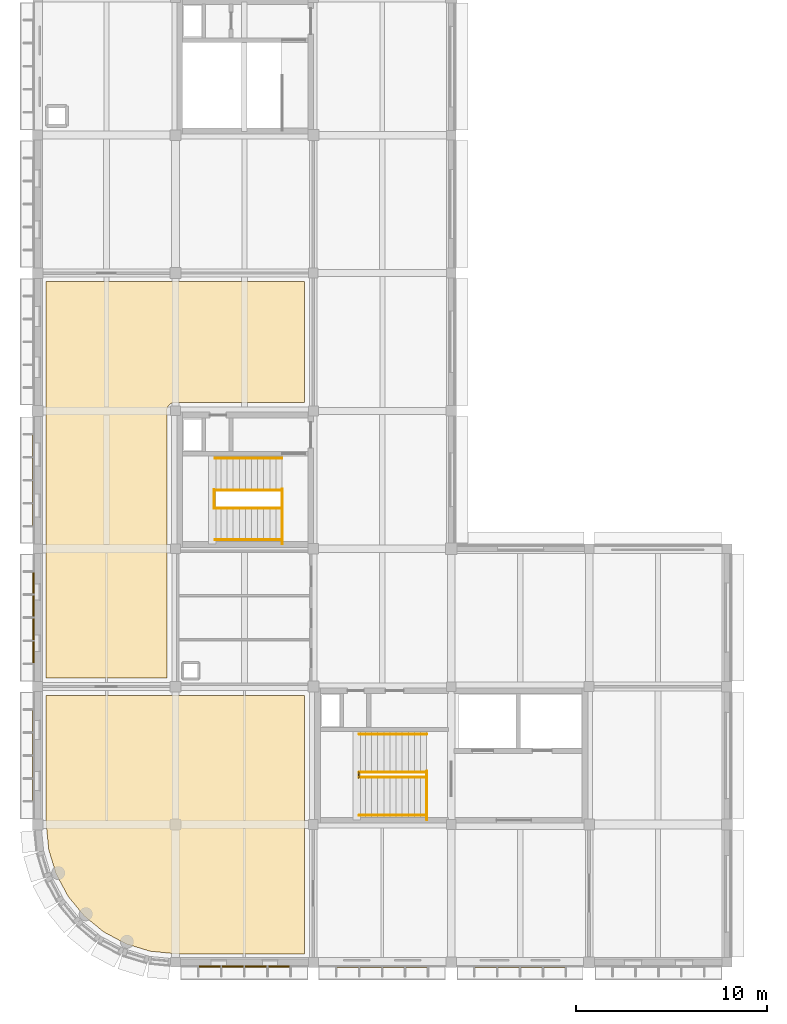
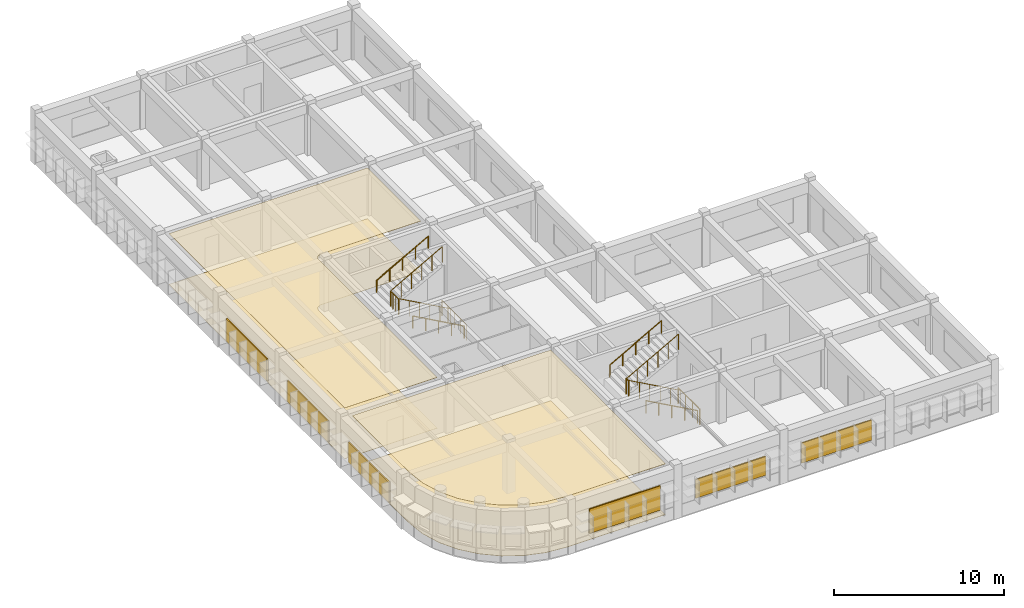
# One storey, part 18 of 19: 12 railings, 6 shading devices, 4 coverings.
"""IFC4 building model written with IfcOpenShell, lengths in metres."""

import ifcopenshell
import ifcopenshell.guid

model = None  # the IFC model being written
_history = None  # IfcOwnerHistory: only IFC2X3 demands one
_inside = {}  # id of a spatial element -> (the spatial element, [elements in it])
_under = {}  # id of a project, library or spatial element -> (it, [spatial elements below it])
_declared = {}  # id of a project -> (the project, [libraries it declares])
_typed = {}  # id of a type object -> (the type object, [elements of that type])
_made_of = {}  # id of a material, layer set ... -> (it, [elements and type objects made of it])


def new_model(schema):
    """Start an empty IFC model of exactly this schema.

    Asked for "IFC4X3", IfcOpenShell would pick the latest addendum, in which some entities
    have other attributes; the version numbers below select the first issue.
    IFC2X3 requires an IfcOwnerHistory on every rooted entity: one is made here for all.
    """
    global model, _history
    if schema == "IFC4X3":
        model = ifcopenshell.file(schema_version=(4, 3, 0, 0))
    else:
        model = ifcopenshell.file(schema=schema)
    _inside.clear()
    _under.clear()
    _declared.clear()
    _typed.clear()
    _made_of.clear()
    _history = None
    if model.schema == "IFC2X3":
        org = make("IfcOrganization", Name="unknown")
        user = make(
            "IfcPersonAndOrganization",
            ThePerson=make("IfcPerson", FamilyName="unknown"),
            TheOrganization=org,
        )
        app = make(
            "IfcApplication",
            ApplicationDeveloper=org,
            Version="unknown",
            ApplicationFullName="unknown",
            ApplicationIdentifier="unknown",
        )
        _history = make(
            "IfcOwnerHistory",
            OwningUser=user,
            OwningApplication=app,
            ChangeAction="ADDED",
            CreationDate=0,
        )
    return model


def make(cls, **values):
    """One entity of the class cls with the attributes given. An attribute that is None is left unset."""
    return model.create_entity(
        cls, **{name: value for name, value in values.items() if value is not None}
    )


def rooted(cls, **values):
    """An entity with a GlobalId (a new one), such as an element, a storey or a relation."""
    return make(cls, GlobalId=ifcopenshell.guid.new(), OwnerHistory=_history, **values)


def si_unit(unit_type, name, prefix=None):
    """IfcSIUnit, for example si_unit("LENGTHUNIT", "METRE", prefix="MILLI")."""
    return make("IfcSIUnit", UnitType=unit_type, Prefix=prefix, Name=name)


def assignment(units):
    """IfcUnitAssignment: the units of a project."""
    return None if units is None else make("IfcUnitAssignment", Units=units)


def point(xyz):
    """IfcCartesianPoint."""
    return None if xyz is None else make("IfcCartesianPoint", Coordinates=xyz)


def direction(xyz):
    """IfcDirection."""
    return None if xyz is None else make("IfcDirection", DirectionRatios=xyz)


def frame(location, z_axis=None, x_axis=None):
    """IfcAxis2Placement3D, a coordinate frame: its origin and axes. An axis left out is left unset."""
    return make(
        "IfcAxis2Placement3D",
        Location=point(location),
        Axis=direction(z_axis),
        RefDirection=direction(x_axis),
    )


def frame_2d(location, x_axis=None):
    """IfcAxis2Placement2D, a coordinate frame in the plane: its origin and x axis."""
    return make(
        "IfcAxis2Placement2D", Location=point(location), RefDirection=direction(x_axis)
    )


def origin():
    """The frame at (0, 0, 0) with its axes left unset."""
    return frame((0.0, 0.0, 0.0))


def origin_2d():
    """The frame at (0, 0) in the plane with its x axis left unset."""
    return frame_2d((0.0, 0.0))


def place(relative_to, where):
    """IfcLocalPlacement: puts the frame where relative to a parent placement (None: the world)."""
    return make(
        "IfcLocalPlacement", PlacementRelTo=relative_to, RelativePlacement=where
    )


def context(
    kind, dimensions, precision=None, world=None, true_north=None, identifier=None
):
    """IfcGeometricRepresentationContext, for example the 3D "Model" context."""
    return make(
        "IfcGeometricRepresentationContext",
        ContextIdentifier=identifier,
        ContextType=kind,
        CoordinateSpaceDimension=dimensions,
        Precision=precision,
        WorldCoordinateSystem=world,
        TrueNorth=true_north,
    )


def subcontext(parent, identifier, kind, view, scale=None):
    """IfcGeometricRepresentationSubContext, for example "Body" below "Model"."""
    return make(
        "IfcGeometricRepresentationSubContext",
        ContextIdentifier=identifier,
        ContextType=kind,
        ParentContext=parent,
        TargetScale=scale,
        TargetView=view,
    )


def project(units=None, contexts=None):
    """IfcProject with its units and contexts."""
    return rooted(
        "IfcProject",
        Name="project",
        RepresentationContexts=contexts,
        UnitsInContext=assignment(units),
    )


def spatial(cls, under=None, at=None, **own):
    """A site, building, storey or space (cls), placed at a placement, below another one or the project."""
    s = rooted(cls, ObjectPlacement=at, **own)
    if under is not None:
        _under.setdefault(under.id(), (under, []))[1].append(s)
    return s


def polyline(points):
    """IfcPolyline through the points."""
    return make("IfcPolyline", Points=[point(p) for p in points])


def profile(cls, at=None, kind="AREA", **sizes):
    """A parametric profile (cls). Its sizes go by their IFC names, for example OverallWidth=200.0."""
    return make(cls, ProfileType=kind, Position=at, **sizes)


def rectangle(**sizes):
    """IfcRectangleProfileDef."""
    return profile("IfcRectangleProfileDef", **sizes)


def circle(**sizes):
    """IfcCircleProfileDef."""
    return profile("IfcCircleProfileDef", **sizes)


def outline(outer, holes=None, kind="AREA"):
    """IfcArbitraryClosedProfileDef: a profile drawn as a closed curve; with holes, ...WithVoids."""
    if holes is None:
        return make("IfcArbitraryClosedProfileDef", ProfileType=kind, OuterCurve=outer)
    return make(
        "IfcArbitraryProfileDefWithVoids",
        ProfileType=kind,
        OuterCurve=outer,
        InnerCurves=holes,
    )


def extrude(swept, where, along, depth):
    """IfcExtrudedAreaSolid: the profile swept, set in the frame where, extruded along a direction by depth."""
    return make(
        "IfcExtrudedAreaSolid",
        SweptArea=swept,
        Position=where,
        ExtrudedDirection=direction(along),
        Depth=depth,
    )


def shape(context_of_items, identifier, shape_type, items):
    """IfcShapeRepresentation: the items that make up one representation, for example the "Body"."""
    return make(
        "IfcShapeRepresentation",
        ContextOfItems=context_of_items,
        RepresentationIdentifier=identifier,
        RepresentationType=shape_type,
        Items=items,
    )


def material(Name=None, Category=None):
    """IfcMaterial."""
    return make("IfcMaterial", Name=Name, Category=Category)


def layer(
    of_material, thickness, ventilated=None, Name=None, Category=None, Priority=None
):
    """IfcMaterialLayer: one layer of a wall or slab, of a material (None: an air gap)."""
    return make(
        "IfcMaterialLayer",
        Material=of_material,
        LayerThickness=thickness,
        IsVentilated=ventilated,
        Name=Name,
        Category=Category,
        Priority=Priority,
    )


def layer_set(layers, Name=None):
    """IfcMaterialLayerSet."""
    return make("IfcMaterialLayerSet", MaterialLayers=layers, LayerSetName=Name)


def made_of(thing, what):
    """Note that an element or type object is made of a material, layer set ...; save() writes the relation."""
    if what is not None:
        _made_of.setdefault(what.id(), (what, []))[1].append(thing)
    return thing


def type_object(cls, material=None, **own):
    """A type object (cls), such as IfcWallType, which elements share."""
    return made_of(rooted(cls, **own), material)


def element(
    cls,
    number,
    at=None,
    inside=None,
    cuts=None,
    type_object=None,
    material=None,
    context=None,
    identifier="Body",
    shape_type=None,
    held_by="IfcProductDefinitionShape",
    body=None,
    shapes=None,
    **own,
):
    """One element of the class cls, such as IfcWall. Its Tag is "e" and its number.

    at: its placement. inside: the storey or other place that contains it. cuts: it is an
    opening in that element (IfcRelVoidsElement). A single representation is given by context,
    identifier, shape_type and body (its items); several are given by shapes. held_by: the class
    of the entity that holds the representations. save() writes the other relations.
    """
    e = rooted(cls, Tag="e%d" % number, ObjectPlacement=at, **own)
    if body is not None:
        shapes = [shape(context, identifier, shape_type, body)]
    if shapes is not None:
        e.Representation = make(held_by, Representations=shapes)
    if inside is not None:
        _inside.setdefault(inside.id(), (inside, []))[1].append(e)
    if cuts is not None:
        rooted(
            "IfcRelVoidsElement", RelatingBuildingElement=cuts, RelatedOpeningElement=e
        )
    if type_object is not None:
        _typed.setdefault(type_object.id(), (type_object, []))[1].append(e)
    return made_of(e, material)


def aggregate(whole, parts):
    """IfcRelAggregates: a whole, such as a stair, and the parts it consists of."""
    return rooted("IfcRelAggregates", RelatingObject=whole, RelatedObjects=parts)


def save(model, path):
    """Write the relations noted so far, then the file.

    IfcRelAggregates (storeys below a building ...), IfcRelContainedInSpatialStructure (elements
    in a storey), IfcRelDefinesByType, IfcRelAssociatesMaterial and IfcRelDeclares: one each for
    every whole, place, type object, material and project.
    """
    for whole, parts in _under.values():
        aggregate(whole, parts)
    for where, things in _inside.values():
        rooted(
            "IfcRelContainedInSpatialStructure",
            RelatedElements=things,
            RelatingStructure=where,
        )
    for kind, things in _typed.values():
        rooted("IfcRelDefinesByType", RelatedObjects=things, RelatingType=kind)
    for what, things in _made_of.values():
        rooted("IfcRelAssociatesMaterial", RelatedObjects=things, RelatingMaterial=what)
    for by, libraries in _declared.values():
        rooted("IfcRelDeclares", RelatingContext=by, RelatedDefinitions=libraries)
    model.write(path)


model = new_model("IFC4")

# Units and contexts
model_context = context("Model", 3, precision=1e-05, world=origin(), true_north=direction((0.0, 1.0)))
body_context = subcontext(model_context, "Body", "Model", "MODEL_VIEW")
ifc_project = project(units=[si_unit("LENGTHUNIT", "METRE"), si_unit("AREAUNIT", "SQUARE_METRE"), si_unit("VOLUMEUNIT", "CUBIC_METRE"), si_unit("PLANEANGLEUNIT", "RADIAN"), si_unit("MASSUNIT", "GRAM", prefix="KILO")], contexts=[model_context])

# Site, building, storey
site_placement = place(None, origin())
site = spatial("IfcSite", under=ifc_project, at=site_placement, CompositionType="ELEMENT")
building_placement = place(site_placement, origin())
building = spatial("IfcBuilding", under=site, at=building_placement, Name="Thalmaran Polytechnic", CompositionType="ELEMENT")
storey_placement = place(building_placement, frame((0.0, 0.0, 26.699951171875)))
storey = spatial("IfcBuildingStorey", under=building, at=storey_placement, Name="L06", CompositionType="ELEMENT", Elevation=26.699951171875)

# Coverings
ifc_material_1 = material(Name="Acoustic mineral fibre ceiling")
ifc_layer_1 = layer(ifc_material_1, 0.02490234375, Name="Acoustic mineral fibre ceiling")
ifc_layer_set_1 = layer_set([ifc_layer_1], Name="Acoustic mineral fibre ceiling")
covering_type_1 = type_object("IfcCoveringType", Name="CV-CL01", PredefinedType="CEILING", material=ifc_layer_set_1)
covering_1_placement = place(storey_placement, frame((0.0, 0.0, 3.64501953125)))
element("IfcCovering", 1, at=covering_1_placement, inside=storey, type_object=covering_type_1, Name="Environmental Engineering Laboratory L06-01 Acoustic Ceiling", PredefinedType="CEILING", context=body_context, shape_type="SweptSolid", body=[
    extrude(outline(polyline([(4.61767578125, 0.9658203125), (3.451171875, 1.58935546875), (2.428466796875, 2.428466796875), (1.58935546875, 3.451171875), (0.9658203125, 4.61767578125), (0.581787109375, 5.883544921875), (0.449951171875, 7.22216796875), (0.449951171875, 13.949951171875), (13.949951171875, 13.949951171875), (13.949951171875, 0.449951171875), (7.22216796875, 0.449951171875), (5.883544921875, 0.581787109375), (4.61767578125, 0.9658203125)])), origin(), (0.0, 0.0, 1.0), 0.025146484375),
])
covering_2_placement = place(storey_placement, frame((0.0, 0.0, 3.64501953125)))
element("IfcCovering", 2, at=covering_2_placement, inside=storey, type_object=covering_type_1, Name="Academic Department Suite L06-02 Acoustic Ceiling", PredefinedType="CEILING", context=body_context, shape_type="SweptSolid", body=[
    extrude(outline(polyline([(0.449951171875, 14.85009765625), (0.449951171875, 35.550048828125), (13.949951171875, 35.550048828125), (13.949951171875, 29.25), (7.199951171875, 29.25), (7.156005859375, 29.247802734375), (7.1123046875, 29.241455078125), (7.0693359375, 29.230712890625), (7.02783203125, 29.2158203125), (6.98779296875, 29.19677734375), (6.949951171875, 29.174072265625), (6.91455078125, 29.14794921875), (6.8818359375, 29.1181640625), (6.85205078125, 29.08544921875), (6.825927734375, 29.050048828125), (6.80322265625, 29.01220703125), (6.7841796875, 28.97216796875), (6.769287109375, 28.9306640625), (6.758544921875, 28.8876953125), (6.752197265625, 28.843994140625), (6.75, 28.800048828125), (6.75, 14.85009765625), (0.449951171875, 14.85009765625)])), origin(), (0.0, 0.0, 1.0), 0.025146484375),
])
ifc_material_2 = material(Name="Polished terrazzo and epoxy lab flooring")
ifc_layer_2 = layer(ifc_material_2, 0.02001953125, Name="Polished terrazzo and epoxy lab flooring")
ifc_layer_set_2 = layer_set([ifc_layer_2], Name="Polished terrazzo and epoxy lab flooring")
covering_type_2 = type_object("IfcCoveringType", Name="CV-FL01", PredefinedType="FLOORING", material=ifc_layer_set_2)
covering_3_placement = place(storey_placement, origin())
element("IfcCovering", 3, at=covering_3_placement, inside=storey, type_object=covering_type_2, Name="Environmental Engineering Laboratory L06-01 Specialist Finish Flooring", PredefinedType="FLOORING", context=body_context, shape_type="SweptSolid", body=[
    extrude(outline(polyline([(4.61767578125, 0.9658203125), (3.451171875, 1.58935546875), (2.428466796875, 2.428466796875), (1.58935546875, 3.451171875), (0.9658203125, 4.61767578125), (0.581787109375, 5.883544921875), (0.449951171875, 7.22216796875), (0.449951171875, 13.949951171875), (13.949951171875, 13.949951171875), (13.949951171875, 0.449951171875), (7.22216796875, 0.449951171875), (5.883544921875, 0.581787109375), (4.61767578125, 0.9658203125)])), origin(), (0.0, 0.0, 1.0), 0.02001953125),
])
covering_4_placement = place(storey_placement, origin())
element("IfcCovering", 4, at=covering_4_placement, inside=storey, type_object=covering_type_2, Name="Academic Department Suite L06-02 Specialist Finish Flooring", PredefinedType="FLOORING", context=body_context, shape_type="SweptSolid", body=[
    extrude(outline(polyline([(0.449951171875, 14.85009765625), (0.449951171875, 35.550048828125), (13.949951171875, 35.550048828125), (13.949951171875, 29.25), (7.199951171875, 29.25), (7.156005859375, 29.247802734375), (7.1123046875, 29.241455078125), (7.0693359375, 29.230712890625), (7.02783203125, 29.2158203125), (6.98779296875, 29.19677734375), (6.949951171875, 29.174072265625), (6.91455078125, 29.14794921875), (6.8818359375, 29.1181640625), (6.85205078125, 29.08544921875), (6.825927734375, 29.050048828125), (6.80322265625, 29.01220703125), (6.7841796875, 28.97216796875), (6.769287109375, 28.9306640625), (6.758544921875, 28.8876953125), (6.752197265625, 28.843994140625), (6.75, 28.800048828125), (6.75, 14.85009765625), (0.449951171875, 14.85009765625)])), origin(), (0.0, 0.0, 1.0), 0.02001953125),
])

# Railings
ifc_material_3 = material(Name="Stainless steel 316", Category="steel")
railing_type_1 = type_object("IfcRailingType", Name="RL-GR01", PredefinedType="GUARDRAIL", material=ifc_material_3)
railing_1_placement = place(storey_placement, frame((20.330078125, 7.449951171875, 0.0)))
element("IfcRailing", 5, at=railing_1_placement, inside=storey, type_object=railing_type_1, Name="ST1 L06 Landing Edge Guardrail", PredefinedType="GUARDRAIL", context=body_context, shape_type="SweptSolid", body=[
    extrude(circle(Radius=0.02392578125, at=origin_2d()), frame((0.0, 0.0, 1.1259765625), z_axis=(0.0, 1.0, 0.0), x_axis=(-1.0, 0.0, 0.0)), (0.0, 0.0, 1.0), 2.530029296875),
    extrude(circle(Radius=0.02099609375, at=origin_2d()), origin(), (0.0, 0.0, 1.0), 1.101806640625),
    extrude(circle(Radius=0.02099609375, at=origin_2d()), frame((0.0, 0.84326171875, 0.0)), (0.0, 0.0, 1.0), 1.101806640625),
    extrude(circle(Radius=0.02099609375, at=origin_2d()), frame((0.0, 1.686767578125, 0.0)), (0.0, 0.0, 1.0), 1.101806640625),
    extrude(circle(Radius=0.02099609375, at=origin_2d()), frame((0.0, 2.530029296875, 0.0)), (0.0, 0.0, 1.0), 1.101806640625),
])
railing_2_placement = place(storey_placement, frame((20.320068359375, 9.659912109375, 0.0)))
element("IfcRailing", 6, at=railing_2_placement, inside=storey, type_object=railing_type_1, Name="ST1 L06 Lower Flight Guardrail", PredefinedType="GUARDRAIL", context=body_context, shape_type="SweptSolid", body=[
    extrude(circle(Radius=0.02392578125, at=origin_2d()), frame((0.0, 0.0, 1.1259765625), z_axis=(-0.874749022873, 0.0, 0.484576255076), x_axis=(0.0, -1.0, 0.0)), (0.0, 0.0, 1.0), 4.02392578125),
    extrude(circle(Radius=0.02099609375, at=origin_2d()), origin(), (0.0, 0.0, 1.0), 1.101806640625),
    extrude(circle(Radius=0.02099609375, at=origin_2d()), frame((-0.7041015625, 0.0, 0.389892578125)), (0.0, 0.0, 1.0), 1.101806640625),
    extrude(circle(Radius=0.02099609375, at=origin_2d()), frame((-1.407958984375, 0.0, 0.780029296875)), (0.0, 0.0, 1.0), 1.101806640625),
    extrude(circle(Radius=0.02099609375, at=origin_2d()), frame((-2.112060546875, 0.0, 1.169921875)), (0.0, 0.0, 1.0), 1.101806640625),
    extrude(circle(Radius=0.02099609375, at=origin_2d()), frame((-2.81591796875, 0.0, 1.56005859375)), (0.0, 0.0, 1.0), 1.101806640625),
    extrude(circle(Radius=0.02099609375, at=origin_2d()), frame((-3.52001953125, 0.0, 1.949951171875)), (0.0, 0.0, 1.0), 1.101806640625),
])
railing_3_placement = place(storey_placement, frame((16.760009765625, 9.639892578125, 1.949951171875)))
element("IfcRailing", 7, at=railing_3_placement, inside=storey, type_object=railing_type_1, Name="ST1 L06 Half-Landing Well Guardrail", PredefinedType="GUARDRAIL", context=body_context, shape_type="SweptSolid", body=[
    extrude(circle(Radius=0.02392578125, at=origin_2d()), frame((0.0, 0.0, 1.1259765625), z_axis=(0.0, 1.0, 0.0), x_axis=(-1.0, 0.0, 0.0)), (0.0, 0.0, 1.0), 0.300048828125),
    extrude(circle(Radius=0.02099609375, at=origin_2d()), origin(), (0.0, 0.0, 1.0), 1.101806640625),
    extrude(circle(Radius=0.02099609375, at=origin_2d()), frame((0.0, 0.300048828125, 0.0)), (0.0, 0.0, 1.0), 1.101806640625),
])
railing_4_placement = place(storey_placement, frame((16.800048828125, 9.919921875, 1.949951171875)))
element("IfcRailing", 8, at=railing_4_placement, inside=storey, type_object=railing_type_1, Name="ST1 L06 Upper Flight Guardrail", PredefinedType="GUARDRAIL", context=body_context, shape_type="SweptSolid", body=[
    extrude(circle(Radius=0.02392578125, at=origin_2d()), frame((0.0, 0.0, 1.1259765625), z_axis=(0.874723305176, 0.0, 0.48462267733), x_axis=(0.0, 1.0, 0.0)), (0.0, 0.0, 1.0), 4.024169921875),
    extrude(circle(Radius=0.02099609375, at=origin_2d()), origin(), (0.0, 0.0, 1.0), 1.101806640625),
    extrude(circle(Radius=0.02099609375, at=origin_2d()), frame((0.7041015625, 0.0, 0.39013671875)), (0.0, 0.0, 1.0), 1.101806640625),
    extrude(circle(Radius=0.02099609375, at=origin_2d()), frame((1.407958984375, 0.0, 0.780029296875)), (0.0, 0.0, 1.0), 1.101806640625),
    extrude(circle(Radius=0.02099609375, at=origin_2d()), frame((2.112060546875, 0.0, 1.170166015625)), (0.0, 0.0, 1.0), 1.101806640625),
    extrude(circle(Radius=0.02099609375, at=origin_2d()), frame((2.81591796875, 0.0, 1.56005859375)), (0.0, 0.0, 1.0), 1.101806640625),
    extrude(circle(Radius=0.02099609375, at=origin_2d()), frame((3.52001953125, 0.0, 1.9501953125)), (0.0, 0.0, 1.0), 1.101806640625),
])
railing_5_placement = place(storey_placement, frame((12.77001953125, 21.85009765625, 0.0)))
element("IfcRailing", 9, at=railing_5_placement, inside=storey, type_object=railing_type_1, Name="ST3 L06 Landing Edge Guardrail", PredefinedType="GUARDRAIL", context=body_context, shape_type="SweptSolid", body=[
    extrude(circle(Radius=0.02392578125, at=origin_2d()), frame((0.0, 0.0, 1.1259765625), z_axis=(0.0, 1.0, 0.0), x_axis=(-1.0, 0.0, 0.0)), (0.0, 0.0, 1.0), 2.869873046875),
    extrude(circle(Radius=0.02099609375, at=origin_2d()), origin(), (0.0, 0.0, 1.0), 1.101806640625),
    extrude(circle(Radius=0.02099609375, at=origin_2d()), frame((0.0, 0.717529296875, 0.0)), (0.0, 0.0, 1.0), 1.101806640625),
    extrude(circle(Radius=0.02099609375, at=origin_2d()), frame((0.0, 1.43505859375, 0.0)), (0.0, 0.0, 1.0), 1.101806640625),
    extrude(circle(Radius=0.02099609375, at=origin_2d()), frame((0.0, 2.15234375, 0.0)), (0.0, 0.0, 1.0), 1.101806640625),
    extrude(circle(Radius=0.02099609375, at=origin_2d()), frame((0.0, 2.869873046875, 0.0)), (0.0, 0.0, 1.0), 1.101806640625),
])
railing_6_placement = place(storey_placement, frame((12.760009765625, 23.719970703125, 0.0)))
element("IfcRailing", 10, at=railing_6_placement, inside=storey, type_object=railing_type_1, Name="ST3 L06 Lower Flight Guardrail", PredefinedType="GUARDRAIL", context=body_context, shape_type="SweptSolid", body=[
    extrude(circle(Radius=0.02392578125, at=origin_2d()), frame((0.0, 0.0, 1.1259765625), z_axis=(-0.873573157803, 0.0, 0.486692857936), x_axis=(0.0, -1.0, 0.0)), (0.0, 0.0, 1.0), 4.006591796875),
    extrude(circle(Radius=0.02099609375, at=origin_2d()), origin(), (0.0, 0.0, 1.0), 1.101806640625),
    extrude(circle(Radius=0.02099609375, at=origin_2d()), frame((-0.699951171875, 0.0, 0.389892578125)), (0.0, 0.0, 1.0), 1.101806640625),
    extrude(circle(Radius=0.02099609375, at=origin_2d()), frame((-1.39990234375, 0.0, 0.780029296875)), (0.0, 0.0, 1.0), 1.101806640625),
    extrude(circle(Radius=0.02099609375, at=origin_2d()), frame((-2.10009765625, 0.0, 1.169921875)), (0.0, 0.0, 1.0), 1.101806640625),
    extrude(circle(Radius=0.02099609375, at=origin_2d()), frame((-2.800048828125, 0.0, 1.56005859375)), (0.0, 0.0, 1.0), 1.101806640625),
    extrude(circle(Radius=0.02099609375, at=origin_2d()), frame((-3.5, 0.0, 1.949951171875)), (0.0, 0.0, 1.0), 1.101806640625),
])
railing_7_placement = place(storey_placement, frame((9.219970703125, 23.699951171875, 1.949951171875)))
element("IfcRailing", 11, at=railing_7_placement, inside=storey, type_object=railing_type_1, Name="ST3 L06 Half-Landing Well Guardrail", PredefinedType="GUARDRAIL", context=body_context, shape_type="SweptSolid", body=[
    extrude(circle(Radius=0.02392578125, at=origin_2d()), frame((0.0, 0.0, 1.1259765625), z_axis=(0.0, 1.0, 0.0), x_axis=(-1.0, 0.0, 0.0)), (0.0, 0.0, 1.0), 0.97998046875),
    extrude(circle(Radius=0.02099609375, at=origin_2d()), origin(), (0.0, 0.0, 1.0), 1.101806640625),
    extrude(circle(Radius=0.02099609375, at=origin_2d()), frame((0.0, 0.32666015625, 0.0)), (0.0, 0.0, 1.0), 1.101806640625),
    extrude(circle(Radius=0.02099609375, at=origin_2d()), frame((0.0, 0.6533203125, 0.0)), (0.0, 0.0, 1.0), 1.101806640625),
    extrude(circle(Radius=0.02099609375, at=origin_2d()), frame((0.0, 0.97998046875, 0.0)), (0.0, 0.0, 1.0), 1.101806640625),
])
railing_8_placement = place(storey_placement, frame((9.260009765625, 24.659912109375, 1.949951171875)))
element("IfcRailing", 12, at=railing_8_placement, inside=storey, type_object=railing_type_1, Name="ST3 L06 Upper Flight Guardrail", PredefinedType="GUARDRAIL", context=body_context, shape_type="SweptSolid", body=[
    extrude(circle(Radius=0.02392578125, at=origin_2d()), frame((0.0, 0.0, 1.1259765625), z_axis=(0.873547249832, 0.0, 0.486739357677), x_axis=(0.0, 1.0, 0.0)), (0.0, 0.0, 1.0), 4.006591796875),
    extrude(circle(Radius=0.02099609375, at=origin_2d()), origin(), (0.0, 0.0, 1.0), 1.101806640625),
    extrude(circle(Radius=0.02099609375, at=origin_2d()), frame((0.699951171875, 0.0, 0.39013671875)), (0.0, 0.0, 1.0), 1.101806640625),
    extrude(circle(Radius=0.02099609375, at=origin_2d()), frame((1.39990234375, 0.0, 0.780029296875)), (0.0, 0.0, 1.0), 1.101806640625),
    extrude(circle(Radius=0.02099609375, at=origin_2d()), frame((2.10009765625, 0.0, 1.170166015625)), (0.0, 0.0, 1.0), 1.101806640625),
    extrude(circle(Radius=0.02099609375, at=origin_2d()), frame((2.800048828125, 0.0, 1.56005859375)), (0.0, 0.0, 1.0), 1.101806640625),
    extrude(circle(Radius=0.02099609375, at=origin_2d()), frame((3.5, 0.0, 1.9501953125)), (0.0, 0.0, 1.0), 1.101806640625),
])
railing_type_2 = type_object("IfcRailingType", Name="RL-HR01", PredefinedType="HANDRAIL", material=ifc_material_3)
railing_9_placement = place(storey_placement, frame((20.320068359375, 7.679931640625, 0.0)))
element("IfcRailing", 13, at=railing_9_placement, inside=storey, type_object=railing_type_2, Name="ST1 L06 Flight 1 Handrail", PredefinedType="HANDRAIL", context=body_context, shape_type="SweptSolid", body=[
    extrude(circle(Radius=0.02392578125, at=origin_2d()), frame((0.0, 0.0, 0.8759765625), z_axis=(-0.874749022873, 0.0, 0.484576255076), x_axis=(0.0, -1.0, 0.0)), (0.0, 0.0, 1.0), 4.02392578125),
    extrude(circle(Radius=0.02099609375, at=origin_2d()), origin(), (0.0, 0.0, 1.0), 0.851806640625),
    extrude(circle(Radius=0.02099609375, at=origin_2d()), frame((-0.8798828125, 0.0, 0.487548828125)), (0.0, 0.0, 1.0), 0.851806640625),
    extrude(circle(Radius=0.02099609375, at=origin_2d()), frame((-1.760009765625, 0.0, 0.97509765625)), (0.0, 0.0, 1.0), 0.851806640625),
    extrude(circle(Radius=0.02099609375, at=origin_2d()), frame((-2.64013671875, 0.0, 1.46240234375)), (0.0, 0.0, 1.0), 0.851806640625),
    extrude(circle(Radius=0.02099609375, at=origin_2d()), frame((-3.52001953125, 0.0, 1.949951171875)), (0.0, 0.0, 1.0), 0.851806640625),
])
railing_10_placement = place(storey_placement, frame((16.800048828125, 11.919921875, 1.949951171875)))
element("IfcRailing", 14, at=railing_10_placement, inside=storey, type_object=railing_type_2, Name="ST1 L06 Flight 2 Handrail", PredefinedType="HANDRAIL", context=body_context, shape_type="SweptSolid", body=[
    extrude(circle(Radius=0.02392578125, at=origin_2d()), frame((0.0, 0.0, 0.8759765625), z_axis=(0.874723305176, 0.0, 0.48462267733), x_axis=(0.0, 1.0, 0.0)), (0.0, 0.0, 1.0), 4.024169921875),
    extrude(circle(Radius=0.02099609375, at=origin_2d()), origin(), (0.0, 0.0, 1.0), 0.851806640625),
    extrude(circle(Radius=0.02099609375, at=origin_2d()), frame((0.8798828125, 0.0, 0.487548828125)), (0.0, 0.0, 1.0), 0.851806640625),
    extrude(circle(Radius=0.02099609375, at=origin_2d()), frame((1.760009765625, 0.0, 0.97509765625)), (0.0, 0.0, 1.0), 0.851806640625),
    extrude(circle(Radius=0.02099609375, at=origin_2d()), frame((2.64013671875, 0.0, 1.462646484375)), (0.0, 0.0, 1.0), 0.851806640625),
    extrude(circle(Radius=0.02099609375, at=origin_2d()), frame((3.52001953125, 0.0, 1.9501953125)), (0.0, 0.0, 1.0), 0.851806640625),
])
railing_11_placement = place(storey_placement, frame((12.760009765625, 22.080078125, 0.0)))
element("IfcRailing", 15, at=railing_11_placement, inside=storey, type_object=railing_type_2, Name="ST3 L06 Flight 1 Handrail", PredefinedType="HANDRAIL", context=body_context, shape_type="SweptSolid", body=[
    extrude(circle(Radius=0.02392578125, at=origin_2d()), frame((0.0, 0.0, 0.8759765625), z_axis=(-0.873573157803, 0.0, 0.486692857936), x_axis=(0.0, -1.0, 0.0)), (0.0, 0.0, 1.0), 4.006591796875),
    extrude(circle(Radius=0.02099609375, at=origin_2d()), origin(), (0.0, 0.0, 1.0), 0.851806640625),
    extrude(circle(Radius=0.02099609375, at=origin_2d()), frame((-0.875, 0.0, 0.487548828125)), (0.0, 0.0, 1.0), 0.851806640625),
    extrude(circle(Radius=0.02099609375, at=origin_2d()), frame((-1.75, 0.0, 0.97509765625)), (0.0, 0.0, 1.0), 0.851806640625),
    extrude(circle(Radius=0.02099609375, at=origin_2d()), frame((-2.625, 0.0, 1.46240234375)), (0.0, 0.0, 1.0), 0.851806640625),
    extrude(circle(Radius=0.02099609375, at=origin_2d()), frame((-3.5, 0.0, 1.949951171875)), (0.0, 0.0, 1.0), 0.851806640625),
])
railing_12_placement = place(storey_placement, frame((9.260009765625, 26.320068359375, 1.949951171875)))
element("IfcRailing", 16, at=railing_12_placement, inside=storey, type_object=railing_type_2, Name="ST3 L06 Flight 2 Handrail", PredefinedType="HANDRAIL", context=body_context, shape_type="SweptSolid", body=[
    extrude(circle(Radius=0.02392578125, at=origin_2d()), frame((0.0, 0.0, 0.8759765625), z_axis=(0.873547249832, 0.0, 0.486739357677), x_axis=(0.0, 1.0, 0.0)), (0.0, 0.0, 1.0), 4.006591796875),
    extrude(circle(Radius=0.02099609375, at=origin_2d()), origin(), (0.0, 0.0, 1.0), 0.851806640625),
    extrude(circle(Radius=0.02099609375, at=origin_2d()), frame((0.875, 0.0, 0.487548828125)), (0.0, 0.0, 1.0), 0.851806640625),
    extrude(circle(Radius=0.02099609375, at=origin_2d()), frame((1.75, 0.0, 0.97509765625)), (0.0, 0.0, 1.0), 0.851806640625),
    extrude(circle(Radius=0.02099609375, at=origin_2d()), frame((2.625, 0.0, 1.462646484375)), (0.0, 0.0, 1.0), 0.851806640625),
    extrude(circle(Radius=0.02099609375, at=origin_2d()), frame((3.5, 0.0, 1.9501953125)), (0.0, 0.0, 1.0), 0.851806640625),
])

# Shading devices
ifc_material_4 = material(Name="Perforated anodised-bronze aluminium screen", Category="aluminium")
ifc_layer_3 = layer(ifc_material_4, 0.080078125, Name="Perforated anodised-bronze aluminium screen")
ifc_layer_set_3 = layer_set([ifc_layer_3], Name="Perforated anodised-bronze aluminium screen")
shading_device_type = type_object("IfcShadingDeviceType", Name="SH-JL01", PredefinedType="JALOUSIE", material=ifc_layer_set_3)
shading_device_1_placement = place(storey_placement, frame((-0.219970703125, 10.800048828125, 1.02490234375), z_axis=(0.0, 0.0, 1.0), x_axis=(0.0, 1.0, 0.0)))
element("IfcShadingDevice", 17, at=shading_device_1_placement, inside=storey, type_object=shading_device_type, Name="Anodised-Bronze Mashrabiya Solar Screen L06-005", PredefinedType="JALOUSIE", context=body_context, shape_type="SweptSolid", body=[
    extrude(rectangle(XDim=4.798828125, YDim=0.080078125, at=origin_2d()), origin(), (0.0, 0.0, 1.0), 1.449951171875),
])
shading_device_2_placement = place(storey_placement, frame((-0.219970703125, 18.0, 1.025146484375), z_axis=(0.0, 0.0, 1.0), x_axis=(0.0, 1.0, 0.0)))
element("IfcShadingDevice", 18, at=shading_device_2_placement, inside=storey, type_object=shading_device_type, Name="Anodised-Bronze Mashrabiya Solar Screen L06-006", PredefinedType="JALOUSIE", context=body_context, shape_type="SweptSolid", body=[
    extrude(rectangle(XDim=4.81689453125, YDim=0.080078125, at=origin_2d()), origin(), (0.0, 0.0, 1.0), 1.5),
])
shading_device_3_placement = place(storey_placement, frame((-0.219970703125, 25.199951171875, 1.02490234375), z_axis=(0.0, 0.0, 1.0), x_axis=(0.0, 1.0, 0.0)))
element("IfcShadingDevice", 19, at=shading_device_3_placement, inside=storey, type_object=shading_device_type, Name="Anodised-Bronze Mashrabiya Solar Screen L06-007", PredefinedType="JALOUSIE", context=body_context, shape_type="SweptSolid", body=[
    extrude(rectangle(XDim=4.795166015625, YDim=0.080078125, at=origin_2d()), origin(), (0.0, 0.0, 1.0), 1.60009765625),
])
shading_device_4_placement = place(storey_placement, frame((25.199951171875, -0.219970703125, 1.02490234375), z_axis=(0.0, 0.0, 1.0), x_axis=(-1.0, 0.0, 0.0)))
element("IfcShadingDevice", 20, at=shading_device_4_placement, inside=storey, type_object=shading_device_type, Name="Anodised-Bronze Mashrabiya Solar Screen L06-024", PredefinedType="JALOUSIE", context=body_context, shape_type="SweptSolid", body=[
    extrude(rectangle(XDim=4.777099609375, YDim=0.080078125, at=origin_2d()), origin(), (0.0, 0.0, 1.0), 1.449951171875),
])
shading_device_5_placement = place(storey_placement, frame((18.0, -0.219970703125, 1.02490234375), z_axis=(0.0, 0.0, 1.0), x_axis=(-1.0, 0.0, 0.0)))
element("IfcShadingDevice", 21, at=shading_device_5_placement, inside=storey, type_object=shading_device_type, Name="Anodised-Bronze Mashrabiya Solar Screen L06-025", PredefinedType="JALOUSIE", context=body_context, shape_type="SweptSolid", body=[
    extrude(rectangle(XDim=4.798828125, YDim=0.080078125, at=origin_2d()), origin(), (0.0, 0.0, 1.0), 1.35009765625),
])
shading_device_6_placement = place(storey_placement, frame((10.800048828125, -0.219970703125, 1.025146484375), z_axis=(0.0, 0.0, 1.0), x_axis=(-1.0, 0.0, 0.0)))
element("IfcShadingDevice", 22, at=shading_device_6_placement, inside=storey, type_object=shading_device_type, Name="Anodised-Bronze Mashrabiya Solar Screen L06-026", PredefinedType="JALOUSIE", context=body_context, shape_type="SweptSolid", body=[
    extrude(rectangle(XDim=4.81689453125, YDim=0.080078125, at=origin_2d()), origin(), (0.0, 0.0, 1.0), 1.75),
])

save(model, "model.ifc")
